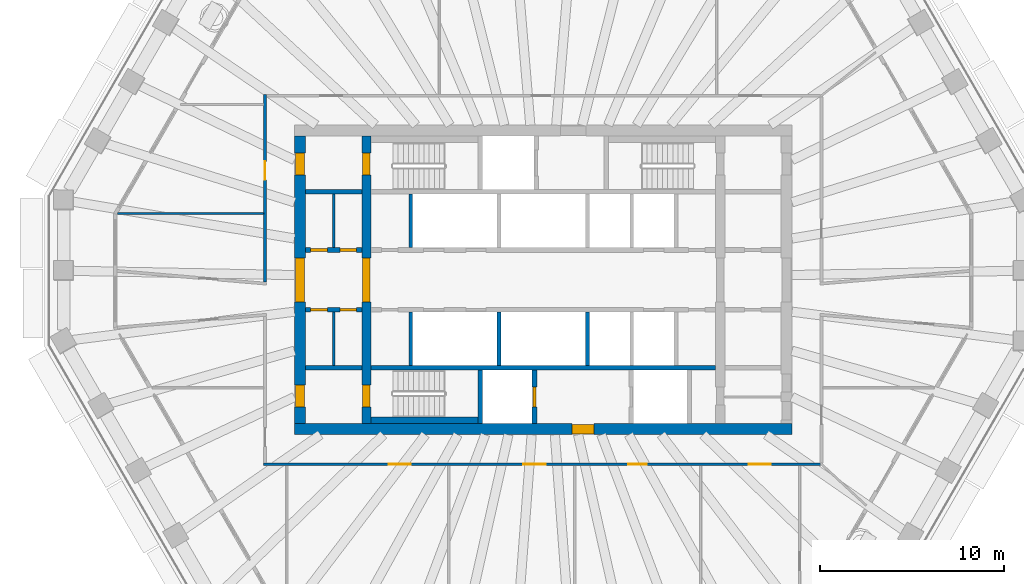
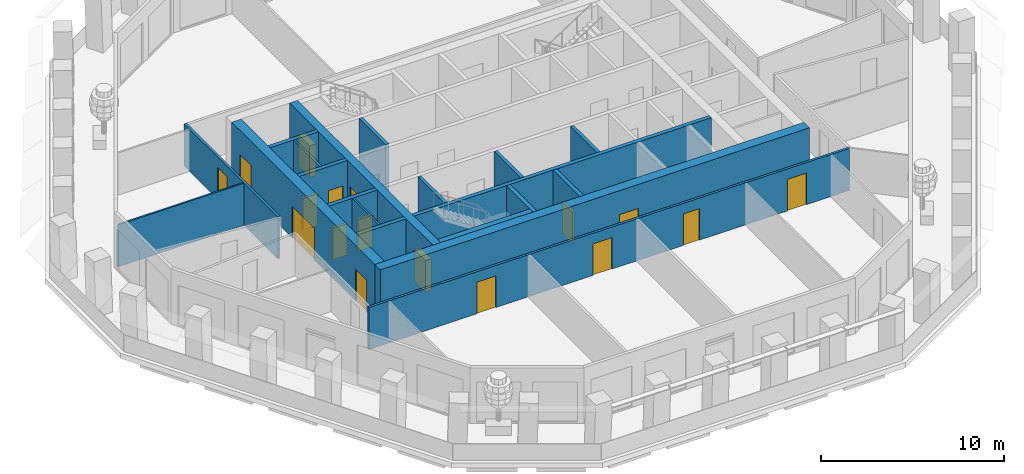
# One storey, part 4 of 12: 20 walls, 17 doors, 17 openings.
"""IFC4 building model written with IfcOpenShell, lengths in metres."""

import ifcopenshell
import ifcopenshell.guid

model = None  # the IFC model being written
_history = None  # IfcOwnerHistory: only IFC2X3 demands one
_inside = {}  # id of a spatial element -> (the spatial element, [elements in it])
_under = {}  # id of a project, library or spatial element -> (it, [spatial elements below it])
_declared = {}  # id of a project -> (the project, [libraries it declares])
_typed = {}  # id of a type object -> (the type object, [elements of that type])
_made_of = {}  # id of a material, layer set ... -> (it, [elements and type objects made of it])


def new_model(schema):
    """Start an empty IFC model of exactly this schema.

    Asked for "IFC4X3", IfcOpenShell would pick the latest addendum, in which some entities
    have other attributes; the version numbers below select the first issue.
    IFC2X3 requires an IfcOwnerHistory on every rooted entity: one is made here for all.
    """
    global model, _history
    if schema == "IFC4X3":
        model = ifcopenshell.file(schema_version=(4, 3, 0, 0))
    else:
        model = ifcopenshell.file(schema=schema)
    _inside.clear()
    _under.clear()
    _declared.clear()
    _typed.clear()
    _made_of.clear()
    _history = None
    if model.schema == "IFC2X3":
        org = make("IfcOrganization", Name="unknown")
        user = make(
            "IfcPersonAndOrganization",
            ThePerson=make("IfcPerson", FamilyName="unknown"),
            TheOrganization=org,
        )
        app = make(
            "IfcApplication",
            ApplicationDeveloper=org,
            Version="unknown",
            ApplicationFullName="unknown",
            ApplicationIdentifier="unknown",
        )
        _history = make(
            "IfcOwnerHistory",
            OwningUser=user,
            OwningApplication=app,
            ChangeAction="ADDED",
            CreationDate=0,
        )
    return model


def make(cls, **values):
    """One entity of the class cls with the attributes given. An attribute that is None is left unset."""
    return model.create_entity(
        cls, **{name: value for name, value in values.items() if value is not None}
    )


def rooted(cls, **values):
    """An entity with a GlobalId (a new one), such as an element, a storey or a relation."""
    return make(cls, GlobalId=ifcopenshell.guid.new(), OwnerHistory=_history, **values)


def si_unit(unit_type, name, prefix=None):
    """IfcSIUnit, for example si_unit("LENGTHUNIT", "METRE", prefix="MILLI")."""
    return make("IfcSIUnit", UnitType=unit_type, Prefix=prefix, Name=name)


def assignment(units):
    """IfcUnitAssignment: the units of a project."""
    return None if units is None else make("IfcUnitAssignment", Units=units)


def point(xyz):
    """IfcCartesianPoint."""
    return None if xyz is None else make("IfcCartesianPoint", Coordinates=xyz)


def direction(xyz):
    """IfcDirection."""
    return None if xyz is None else make("IfcDirection", DirectionRatios=xyz)


def frame(location, z_axis=None, x_axis=None):
    """IfcAxis2Placement3D, a coordinate frame: its origin and axes. An axis left out is left unset."""
    return make(
        "IfcAxis2Placement3D",
        Location=point(location),
        Axis=direction(z_axis),
        RefDirection=direction(x_axis),
    )


def frame_2d(location, x_axis=None):
    """IfcAxis2Placement2D, a coordinate frame in the plane: its origin and x axis."""
    return make(
        "IfcAxis2Placement2D", Location=point(location), RefDirection=direction(x_axis)
    )


def origin():
    """The frame at (0, 0, 0) with its axes left unset."""
    return frame((0.0, 0.0, 0.0))


def place(relative_to, where):
    """IfcLocalPlacement: puts the frame where relative to a parent placement (None: the world)."""
    return make(
        "IfcLocalPlacement", PlacementRelTo=relative_to, RelativePlacement=where
    )


def context(
    kind, dimensions, precision=None, world=None, true_north=None, identifier=None
):
    """IfcGeometricRepresentationContext, for example the 3D "Model" context."""
    return make(
        "IfcGeometricRepresentationContext",
        ContextIdentifier=identifier,
        ContextType=kind,
        CoordinateSpaceDimension=dimensions,
        Precision=precision,
        WorldCoordinateSystem=world,
        TrueNorth=true_north,
    )


def subcontext(parent, identifier, kind, view, scale=None):
    """IfcGeometricRepresentationSubContext, for example "Body" below "Model"."""
    return make(
        "IfcGeometricRepresentationSubContext",
        ContextIdentifier=identifier,
        ContextType=kind,
        ParentContext=parent,
        TargetScale=scale,
        TargetView=view,
    )


def project(units=None, contexts=None):
    """IfcProject with its units and contexts."""
    return rooted(
        "IfcProject",
        Name="project",
        RepresentationContexts=contexts,
        UnitsInContext=assignment(units),
    )


def spatial(cls, under=None, at=None, **own):
    """A site, building, storey or space (cls), placed at a placement, below another one or the project."""
    s = rooted(cls, ObjectPlacement=at, **own)
    if under is not None:
        _under.setdefault(under.id(), (under, []))[1].append(s)
    return s


def profile(cls, at=None, kind="AREA", **sizes):
    """A parametric profile (cls). Its sizes go by their IFC names, for example OverallWidth=200.0."""
    return make(cls, ProfileType=kind, Position=at, **sizes)


def rectangle(**sizes):
    """IfcRectangleProfileDef."""
    return profile("IfcRectangleProfileDef", **sizes)


def extrude(swept, where, along, depth):
    """IfcExtrudedAreaSolid: the profile swept, set in the frame where, extruded along a direction by depth."""
    return make(
        "IfcExtrudedAreaSolid",
        SweptArea=swept,
        Position=where,
        ExtrudedDirection=direction(along),
        Depth=depth,
    )


def shape(context_of_items, identifier, shape_type, items):
    """IfcShapeRepresentation: the items that make up one representation, for example the "Body"."""
    return make(
        "IfcShapeRepresentation",
        ContextOfItems=context_of_items,
        RepresentationIdentifier=identifier,
        RepresentationType=shape_type,
        Items=items,
    )


def material(Name=None, Category=None):
    """IfcMaterial."""
    return make("IfcMaterial", Name=Name, Category=Category)


def layer(
    of_material, thickness, ventilated=None, Name=None, Category=None, Priority=None
):
    """IfcMaterialLayer: one layer of a wall or slab, of a material (None: an air gap)."""
    return make(
        "IfcMaterialLayer",
        Material=of_material,
        LayerThickness=thickness,
        IsVentilated=ventilated,
        Name=Name,
        Category=Category,
        Priority=Priority,
    )


def layer_set(layers, Name=None):
    """IfcMaterialLayerSet."""
    return make("IfcMaterialLayerSet", MaterialLayers=layers, LayerSetName=Name)


def made_of(thing, what):
    """Note that an element or type object is made of a material, layer set ...; save() writes the relation."""
    if what is not None:
        _made_of.setdefault(what.id(), (what, []))[1].append(thing)
    return thing


def type_object(cls, material=None, **own):
    """A type object (cls), such as IfcWallType, which elements share."""
    return made_of(rooted(cls, **own), material)


def element(
    cls,
    number,
    at=None,
    inside=None,
    cuts=None,
    type_object=None,
    material=None,
    context=None,
    identifier="Body",
    shape_type=None,
    held_by="IfcProductDefinitionShape",
    body=None,
    shapes=None,
    **own,
):
    """One element of the class cls, such as IfcWall. Its Tag is "e" and its number.

    at: its placement. inside: the storey or other place that contains it. cuts: it is an
    opening in that element (IfcRelVoidsElement). A single representation is given by context,
    identifier, shape_type and body (its items); several are given by shapes. held_by: the class
    of the entity that holds the representations. save() writes the other relations.
    """
    e = rooted(cls, Tag="e%d" % number, ObjectPlacement=at, **own)
    if body is not None:
        shapes = [shape(context, identifier, shape_type, body)]
    if shapes is not None:
        e.Representation = make(held_by, Representations=shapes)
    if inside is not None:
        _inside.setdefault(inside.id(), (inside, []))[1].append(e)
    if cuts is not None:
        rooted(
            "IfcRelVoidsElement", RelatingBuildingElement=cuts, RelatedOpeningElement=e
        )
    if type_object is not None:
        _typed.setdefault(type_object.id(), (type_object, []))[1].append(e)
    return made_of(e, material)


def fill(opening, filler):
    """IfcRelFillsElement: the door or window that sits in an opening."""
    return rooted(
        "IfcRelFillsElement",
        RelatingOpeningElement=opening,
        RelatedBuildingElement=filler,
    )


def aggregate(whole, parts):
    """IfcRelAggregates: a whole, such as a stair, and the parts it consists of."""
    return rooted("IfcRelAggregates", RelatingObject=whole, RelatedObjects=parts)


def save(model, path):
    """Write the relations noted so far, then the file.

    IfcRelAggregates (storeys below a building ...), IfcRelContainedInSpatialStructure (elements
    in a storey), IfcRelDefinesByType, IfcRelAssociatesMaterial and IfcRelDeclares: one each for
    every whole, place, type object, material and project.
    """
    for whole, parts in _under.values():
        aggregate(whole, parts)
    for where, things in _inside.values():
        rooted(
            "IfcRelContainedInSpatialStructure",
            RelatedElements=things,
            RelatingStructure=where,
        )
    for kind, things in _typed.values():
        rooted("IfcRelDefinesByType", RelatedObjects=things, RelatingType=kind)
    for what, things in _made_of.values():
        rooted("IfcRelAssociatesMaterial", RelatedObjects=things, RelatingMaterial=what)
    for by, libraries in _declared.values():
        rooted("IfcRelDeclares", RelatingContext=by, RelatedDefinitions=libraries)
    model.write(path)


model = new_model("IFC4")

# Units and contexts
model_context = context("Model", 3, precision=1e-05, world=origin(), true_north=direction((0.0, 1.0)))
body_context = subcontext(model_context, "Body", "Model", "MODEL_VIEW")
ifc_project = project(units=[si_unit("LENGTHUNIT", "METRE"), si_unit("AREAUNIT", "SQUARE_METRE"), si_unit("VOLUMEUNIT", "CUBIC_METRE"), si_unit("PLANEANGLEUNIT", "RADIAN"), si_unit("MASSUNIT", "GRAM", prefix="KILO")], contexts=[model_context])

# Site, building, storey
site_placement = place(None, origin())
site = spatial("IfcSite", under=ifc_project, at=site_placement, CompositionType="ELEMENT")
building_placement = place(site_placement, origin())
building = spatial("IfcBuilding", under=site, at=building_placement, Name="Frailejon Research Tower", CompositionType="ELEMENT")
storey_placement = place(building_placement, frame((0.0, 0.0, 227.39990234375)))
storey = spatial("IfcBuildingStorey", under=building, at=storey_placement, Name="L49", CompositionType="ELEMENT", Elevation=227.39990234375)

# Walls
ifc_material_1 = material(Name="Plasterboard on steel studs", Category="steel")
ifc_layer_1 = layer(ifc_material_1, 0.125)
ifc_layer_set_1 = layer_set([ifc_layer_1], Name="Core partition 125")
wall_type_1 = type_object("IfcWallType", Name="Core partition 125", PredefinedType="PARTITIONING", material=ifc_layer_set_1)
for number, where, z_axis, x_axis, name in (
    (1, (-11.375, 1.75, 0.0), (0.0, 0.0, 1.0), (0.0, 1.0, 0.0), "Core partition"),
    (2, (-11.375, -4.64990234375, 0.0), (0.0, 0.0, 1.0), (0.0, 1.0, 0.0), "Core partition"),
):
    element("IfcWall", number, at=place(storey_placement, frame(where, z_axis=z_axis, x_axis=x_axis)), inside=storey, type_object=wall_type_1, Name=name, PredefinedType="PARTITIONING", context=body_context, shape_type="SweptSolid", body=[
        extrude(rectangle(XDim=2.89990234375, YDim=0.125, at=frame_2d((1.449951171875, 0.0))), origin(), (0.0, 0.0, 1.0), 3.7001953125),
    ])

# Wall, openings, doors
ifc_material_2 = material(Name="Concrete C60/75", Category="concrete")
ifc_layer_2 = layer(ifc_material_2, 0.5)
ifc_layer_set_2 = layer_set([ifc_layer_2], Name="Core shear wall 500 C60/75")
wall_type_2 = type_object("IfcWallType", Name="Core shear wall 500 C60/75", PredefinedType="SHEAR", material=ifc_layer_set_2)
wall_1_placement = place(storey_placement, frame((-9.60009765625, -7.800048828125, 0.0), z_axis=(0.0, 0.0, 1.0), x_axis=(0.0, 1.0, 0.0)))
wall_1 = element("IfcWall", 3, at=wall_1_placement, inside=storey, type_object=wall_type_2, Name="Core shear wall", PredefinedType="SHEAR", context=body_context, shape_type="SweptSolid", body=[
    extrude(rectangle(XDim=15.60009765625, YDim=0.5, at=frame_2d((7.800048828125, 0.0))), origin(), (0.0, 0.0, 1.0), 3.7001953125),
])
opening_1_placement = place(wall_1_placement, frame((6.60009765625, 0.0, 0.0)))
opening_1 = element("IfcOpeningElement", 4, at=opening_1_placement, cuts=wall_1, Name="Opening D2", PredefinedType="OPENING", context=body_context, shape_type="SweptSolid", body=[
    extrude(rectangle(XDim=2.39990234375, YDim=2.10009765625, at=frame_2d((1.199951171875, 1.050048828125))), frame((0.0, 0.260009765625, 0.0), z_axis=(0.0, -1.0, 0.0), x_axis=(1.0, 0.0, 0.0)), (0.0, 0.0, 1.0), 0.52001953125),
])
opening_2_placement = place(wall_1_placement, frame((13.5, 0.0, 0.0)))
opening_2 = element("IfcOpeningElement", 5, at=opening_2_placement, cuts=wall_1, Name="Opening D1", PredefinedType="OPENING", context=body_context, shape_type="SweptSolid", body=[
    extrude(rectangle(XDim=1.199951171875, YDim=2.10009765625, at=frame_2d((0.60009765625, 1.050048828125))), frame((0.0, 0.260009765625, 0.0), z_axis=(0.0, -1.0, 0.0), x_axis=(1.0, 0.0, 0.0)), (0.0, 0.0, 1.0), 0.52001953125),
])
opening_3_placement = place(wall_1_placement, frame((0.89990234375, 0.0, 0.0)))
opening_3 = element("IfcOpeningElement", 6, at=opening_3_placement, cuts=wall_1, Name="Opening D1", PredefinedType="OPENING", context=body_context, shape_type="SweptSolid", body=[
    extrude(rectangle(XDim=1.199951171875, YDim=2.10009765625, at=frame_2d((0.60009765625, 1.050048828125))), frame((0.0, 0.260009765625, 0.0), z_axis=(0.0, -1.0, 0.0), x_axis=(1.0, 0.0, 0.0)), (0.0, 0.0, 1.0), 0.52001953125),
])
ifc_material_3 = material(Name="Steel", Category="steel")
door_type_1 = type_object("IfcDoorType", Name="Lobby double door", OperationType="DOUBLE_DOOR_SINGLE_SWING", PredefinedType="DOOR", material=ifc_material_3)
door_1_placement = place(opening_1_placement, origin())
door_1 = element("IfcDoor", 7, at=door_1_placement, inside=storey, type_object=door_type_1, Name="Lobby door", OperationType="DOUBLE_DOOR_SINGLE_SWING", OverallHeight=2.10009765625, OverallWidth=2.39990234375, PredefinedType="DOOR", context=body_context, shape_type="SweptSolid", body=[
    extrude(rectangle(XDim=2.39990234375, YDim=2.10009765625, at=frame_2d((1.199951171875, 1.050048828125))), frame((0.0, 0.199951171875, 0.0), z_axis=(0.0, -1.0, 0.0), x_axis=(1.0, 0.0, 0.0)), (0.0, 0.0, 1.0), 0.39990234375),
])
fill(opening_1, door_1)
ifc_material_4 = material(Name="Steel", Category="steel")
door_type_2 = type_object("IfcDoorType", Name="Stair door", OperationType="SINGLE_SWING_LEFT", PredefinedType="DOOR", material=ifc_material_4)
door_2_placement = place(opening_2_placement, origin())
door_2 = element("IfcDoor", 8, at=door_2_placement, inside=storey, type_object=door_type_2, Name="Stair door ST1", OperationType="SINGLE_SWING_LEFT", OverallHeight=2.10009765625, OverallWidth=1.199951171875, PredefinedType="DOOR", context=body_context, shape_type="SweptSolid", body=[
    extrude(rectangle(XDim=1.199951171875, YDim=2.10009765625, at=frame_2d((0.60009765625, 1.050048828125))), frame((0.0, 0.199951171875, 0.0), z_axis=(0.0, -1.0, 0.0), x_axis=(1.0, 0.0, 0.0)), (0.0, 0.0, 1.0), 0.39990234375),
])
fill(opening_2, door_2)
door_3_placement = place(opening_3_placement, origin())
door_3 = element("IfcDoor", 9, at=door_3_placement, inside=storey, type_object=door_type_2, Name="Stair door ST2", OperationType="SINGLE_SWING_LEFT", OverallHeight=2.10009765625, OverallWidth=1.199951171875, PredefinedType="DOOR", context=body_context, shape_type="SweptSolid", body=[
    extrude(rectangle(XDim=1.199951171875, YDim=2.10009765625, at=frame_2d((0.60009765625, 1.050048828125))), frame((0.0, 0.199951171875, 0.0), z_axis=(0.0, -1.0, 0.0), x_axis=(1.0, 0.0, 0.0)), (0.0, 0.0, 1.0), 0.39990234375),
])
fill(opening_3, door_3)

# Wall, opening, door
ifc_material_5 = material(Name="Concrete C60/75", Category="concrete")
ifc_layer_3 = layer(ifc_material_5, 0.60009765625)
ifc_layer_set_3 = layer_set([ifc_layer_3], Name="Core shear wall 600 C60/75")
wall_type_3 = type_object("IfcWallType", Name="Core shear wall 600 C60/75", PredefinedType="SHEAR", material=ifc_layer_set_3)
wall_2_placement = place(storey_placement, frame((-13.5, -8.10009765625, 0.0), z_axis=(0.0, 0.0, 1.0), x_axis=(1.0, 0.0, 0.0)))
wall_2 = element("IfcWall", 10, at=wall_2_placement, inside=storey, type_object=wall_type_3, Name="Core shear wall", PredefinedType="SHEAR", context=body_context, shape_type="SweptSolid", body=[
    extrude(rectangle(XDim=27.0, YDim=0.60009765625, at=frame_2d((13.5, 0.0))), origin(), (0.0, 0.0, 1.0), 3.7001953125),
])
opening_4_placement = place(wall_2_placement, frame((15.050048828125, 0.0, 0.0)))
opening_4 = element("IfcOpeningElement", 11, at=opening_4_placement, cuts=wall_2, Name="Opening D3", PredefinedType="OPENING", context=body_context, shape_type="SweptSolid", body=[
    extrude(rectangle(XDim=1.199951171875, YDim=2.10009765625, at=frame_2d((0.60009765625, 1.050048828125))), frame((0.0, 0.31005859375, 0.0), z_axis=(0.0, -1.0, 0.0), x_axis=(1.0, 0.0, 0.0)), (0.0, 0.0, 1.0), 0.6201171875),
])
ifc_material_6 = material(Name="Steel", Category="steel")
door_type_3 = type_object("IfcDoorType", Name="Firefighting lobby door", OperationType="SINGLE_SWING_LEFT", PredefinedType="DOOR", material=ifc_material_6)
door_4_placement = place(opening_4_placement, origin())
door_4 = element("IfcDoor", 12, at=door_4_placement, inside=storey, type_object=door_type_3, Name="Firefighting lobby door", OperationType="SINGLE_SWING_LEFT", OverallHeight=2.10009765625, OverallWidth=1.199951171875, PredefinedType="DOOR", context=body_context, shape_type="SweptSolid", body=[
    extrude(rectangle(XDim=1.199951171875, YDim=2.10009765625, at=frame_2d((0.60009765625, 1.050048828125))), frame((0.0, 0.25, 0.0), z_axis=(0.0, -1.0, 0.0), x_axis=(1.0, 0.0, 0.0)), (0.0, 0.0, 1.0), 0.5),
])
fill(opening_4, door_4)

# Wall, openings, doors
wall_3_placement = place(storey_placement, frame((-13.199951171875, -7.800048828125, 0.0), z_axis=(0.0, 0.0, 1.0), x_axis=(0.0, 1.0, 0.0)))
wall_3 = element("IfcWall", 13, at=wall_3_placement, inside=storey, type_object=wall_type_3, Name="Core shear wall", PredefinedType="SHEAR", context=body_context, shape_type="SweptSolid", body=[
    extrude(rectangle(XDim=15.60009765625, YDim=0.60009765625, at=frame_2d((7.800048828125, 0.0))), origin(), (0.0, 0.0, 1.0), 3.7001953125),
])
opening_5_placement = place(wall_3_placement, frame((6.60009765625, 0.0, 0.0)))
opening_5 = element("IfcOpeningElement", 14, at=opening_5_placement, cuts=wall_3, Name="Opening D2", PredefinedType="OPENING", context=body_context, shape_type="SweptSolid", body=[
    extrude(rectangle(XDim=2.39990234375, YDim=2.10009765625, at=frame_2d((1.199951171875, 1.050048828125))), frame((0.0, 0.31005859375, 0.0), z_axis=(0.0, -1.0, 0.0), x_axis=(1.0, 0.0, 0.0)), (0.0, 0.0, 1.0), 0.6201171875),
])
opening_6_placement = place(wall_3_placement, frame((13.5, 0.0, 0.0)))
opening_6 = element("IfcOpeningElement", 15, at=opening_6_placement, cuts=wall_3, Name="Opening D7", PredefinedType="OPENING", context=body_context, shape_type="SweptSolid", body=[
    extrude(rectangle(XDim=1.199951171875, YDim=2.10009765625, at=frame_2d((0.60009765625, 1.050048828125))), frame((0.0, 0.31005859375, 0.0), z_axis=(0.0, -1.0, 0.0), x_axis=(1.0, 0.0, 0.0)), (0.0, 0.0, 1.0), 0.6201171875),
])
opening_7_placement = place(wall_3_placement, frame((0.89990234375, 0.0, 0.0)))
opening_7 = element("IfcOpeningElement", 16, at=opening_7_placement, cuts=wall_3, Name="Opening D7", PredefinedType="OPENING", context=body_context, shape_type="SweptSolid", body=[
    extrude(rectangle(XDim=1.199951171875, YDim=2.10009765625, at=frame_2d((0.60009765625, 1.050048828125))), frame((0.0, 0.31005859375, 0.0), z_axis=(0.0, -1.0, 0.0), x_axis=(1.0, 0.0, 0.0)), (0.0, 0.0, 1.0), 0.6201171875),
])
door_5_placement = place(opening_5_placement, origin())
door_5 = element("IfcDoor", 17, at=door_5_placement, inside=storey, type_object=door_type_1, Name="Lobby door", OperationType="DOUBLE_DOOR_SINGLE_SWING", OverallHeight=2.10009765625, OverallWidth=2.39990234375, PredefinedType="DOOR", context=body_context, shape_type="SweptSolid", body=[
    extrude(rectangle(XDim=2.39990234375, YDim=2.10009765625, at=frame_2d((1.199951171875, 1.050048828125))), frame((0.0, 0.25, 0.0), z_axis=(0.0, -1.0, 0.0), x_axis=(1.0, 0.0, 0.0)), (0.0, 0.0, 1.0), 0.5),
])
fill(opening_5, door_5)
ifc_material_7 = material(Name="Steel", Category="steel")
door_type_4 = type_object("IfcDoorType", Name="Stair exit door", OperationType="SINGLE_SWING_LEFT", PredefinedType="DOOR", material=ifc_material_7)
door_6_placement = place(opening_6_placement, origin())
door_6 = element("IfcDoor", 18, at=door_6_placement, inside=storey, type_object=door_type_4, Name="Stair exit door ST1", OperationType="SINGLE_SWING_RIGHT", OverallHeight=2.10009765625, OverallWidth=1.199951171875, PredefinedType="DOOR", context=body_context, shape_type="SweptSolid", body=[
    extrude(rectangle(XDim=1.199951171875, YDim=2.10009765625, at=frame_2d((0.60009765625, 1.050048828125))), frame((0.0, 0.25, 0.0), z_axis=(0.0, -1.0, 0.0), x_axis=(1.0, 0.0, 0.0)), (0.0, 0.0, 1.0), 0.5),
])
fill(opening_6, door_6)
door_7_placement = place(opening_7_placement, origin())
door_7 = element("IfcDoor", 19, at=door_7_placement, inside=storey, type_object=door_type_4, Name="Stair exit door ST2", OperationType="SINGLE_SWING_RIGHT", OverallHeight=2.10009765625, OverallWidth=1.199951171875, PredefinedType="DOOR", context=body_context, shape_type="SweptSolid", body=[
    extrude(rectangle(XDim=1.199951171875, YDim=2.10009765625, at=frame_2d((0.60009765625, 1.050048828125))), frame((0.0, 0.25, 0.0), z_axis=(0.0, -1.0, 0.0), x_axis=(1.0, 0.0, 0.0)), (0.0, 0.0, 1.0), 0.5),
])
fill(opening_7, door_7)

# Wall, opening, door
ifc_material_8 = material(Name="Gypsum board and masonry partition", Category="masonry")
ifc_layer_4 = layer(ifc_material_8, 0.14990234375)
ifc_layer_set_4 = layer_set([ifc_layer_4], Name="Corridor wall EI 60, gypsum on steel studs 150")
wall_type_4 = type_object("IfcWallType", Name="Corridor wall EI 60, gypsum on steel studs 150", PredefinedType="PARTITIONING", material=ifc_layer_set_4)
wall_4_placement = place(storey_placement, frame((-15.10009765625, -0.123779296875, 0.0), z_axis=(0.0, 0.0, 1.0), x_axis=(0.0, 1.0, 0.0)))
wall_4 = element("IfcWall", 20, at=wall_4_placement, inside=storey, type_object=wall_type_4, Name="T:IW:L49:005", PredefinedType="PARTITIONING", context=body_context, shape_type="SweptSolid", body=[
    extrude(rectangle(XDim=10.19873046875, YDim=0.14990234375, at=frame_2d((5.099365234375, 0.0))), origin(), (0.0, 0.0, 1.0), 2.800048828125),
])
opening_8_placement = place(wall_4_placement, frame((5.5556640625, 0.0, 0.0)))
opening_8 = element("IfcOpeningElement", 21, at=opening_8_placement, cuts=wall_4, Name="Opening D1995", PredefinedType="OPENING", context=body_context, shape_type="SweptSolid", body=[
    extrude(rectangle(XDim=1.0, YDim=2.10009765625, at=frame_2d((0.5, 1.050048828125))), frame((0.0, 0.0849609375, 0.0), z_axis=(0.0, -1.0, 0.0), x_axis=(1.0, 0.0, 0.0)), (0.0, 0.0, 1.0), 0.169921875),
])
ifc_material_9 = material(Name="Timber door leaf", Category="wood")
door_type_5 = type_object("IfcDoorType", Name="Door single leaf, timber, steel frame 1000", OperationType="NOTDEFINED", PredefinedType="DOOR", material=ifc_material_9)
door_8_placement = place(opening_8_placement, origin())
door_8 = element("IfcDoor", 22, at=door_8_placement, inside=storey, type_object=door_type_5, Name="D1995", OperationType="SINGLE_SWING_RIGHT", OverallHeight=2.10009765625, OverallWidth=1.0, PredefinedType="DOOR", context=body_context, shape_type="SweptSolid", body=[
    extrude(rectangle(XDim=1.0, YDim=2.10009765625, at=frame_2d((0.5, 1.050048828125))), frame((0.0, 0.02490234375, 0.0), z_axis=(0.0, -1.0, 0.0), x_axis=(1.0, 0.0, 0.0)), (0.0, 0.0, 1.0), 0.050048828125),
])
fill(opening_8, door_8)

# Wall, openings, doors
wall_5_placement = place(storey_placement, frame((-15.175048828125, -10.0, 0.0), z_axis=(0.0, 0.0, 1.0), x_axis=(1.0, 0.0, 0.0)))
wall_5 = element("IfcWall", 23, at=wall_5_placement, inside=storey, type_object=wall_type_4, Name="T:IW:L49:006", PredefinedType="PARTITIONING", context=body_context, shape_type="SweptSolid", body=[
    extrude(rectangle(XDim=30.22509765625, YDim=0.14990234375, at=frame_2d((15.112548828125, 0.0))), origin(), (0.0, 0.0, 1.0), 2.800048828125),
])
opening_9_placement = place(wall_5_placement, frame((6.77880859375, 0.0, 0.0)))
opening_9 = element("IfcOpeningElement", 24, at=opening_9_placement, cuts=wall_5, Name="Opening D1999", PredefinedType="OPENING", context=body_context, shape_type="SweptSolid", body=[
    extrude(rectangle(XDim=1.199951171875, YDim=2.10009765625, at=frame_2d((0.60009765625, 1.050048828125))), frame((0.0, 0.0849609375, 0.0), z_axis=(0.0, -1.0, 0.0), x_axis=(1.0, 0.0, 0.0)), (0.0, 0.0, 1.0), 0.169921875),
])
opening_10_placement = place(wall_5_placement, frame((14.10009765625, 0.0, 0.0)))
opening_10 = element("IfcOpeningElement", 25, at=opening_10_placement, cuts=wall_5, Name="Opening D2000", PredefinedType="OPENING", context=body_context, shape_type="SweptSolid", body=[
    extrude(rectangle(XDim=1.199951171875, YDim=2.10009765625, at=frame_2d((0.60009765625, 1.050048828125))), frame((0.0, 0.0849609375, 0.0), z_axis=(0.0, -1.0, 0.0), x_axis=(1.0, 0.0, 0.0)), (0.0, 0.0, 1.0), 0.169921875),
])
opening_11_placement = place(wall_5_placement, frame((19.798583984375, 0.0, 0.0)))
opening_11 = element("IfcOpeningElement", 26, at=opening_11_placement, cuts=wall_5, Name="Opening D2001", PredefinedType="OPENING", context=body_context, shape_type="SweptSolid", body=[
    extrude(rectangle(XDim=1.0, YDim=2.10009765625, at=frame_2d((0.5, 1.050048828125))), frame((0.0, 0.0849609375, 0.0), z_axis=(0.0, -1.0, 0.0), x_axis=(1.0, 0.0, 0.0)), (0.0, 0.0, 1.0), 0.169921875),
])
opening_12_placement = place(wall_5_placement, frame((26.322998046875, 0.0, 0.0)))
opening_12 = element("IfcOpeningElement", 27, at=opening_12_placement, cuts=wall_5, Name="Opening D2002", PredefinedType="OPENING", context=body_context, shape_type="SweptSolid", body=[
    extrude(rectangle(XDim=1.199951171875, YDim=2.10009765625, at=frame_2d((0.60009765625, 1.050048828125))), frame((0.0, 0.0849609375, 0.0), z_axis=(0.0, -1.0, 0.0), x_axis=(1.0, 0.0, 0.0)), (0.0, 0.0, 1.0), 0.169921875),
])
ifc_material_10 = material(Name="Timber door leaf", Category="wood")
door_type_6 = type_object("IfcDoorType", Name="Door laboratory, timber, vision panel 1200", OperationType="NOTDEFINED", PredefinedType="DOOR", material=ifc_material_10)
door_9_placement = place(opening_10_placement, origin())
door_9 = element("IfcDoor", 28, at=door_9_placement, inside=storey, type_object=door_type_6, Name="D2000", OperationType="DOUBLE_DOOR_SINGLE_SWING", OverallHeight=2.10009765625, OverallWidth=1.199951171875, PredefinedType="DOOR", context=body_context, shape_type="SweptSolid", body=[
    extrude(rectangle(XDim=1.199951171875, YDim=2.10009765625, at=frame_2d((0.60009765625, 1.050048828125))), frame((0.0, 0.02490234375, 0.0), z_axis=(0.0, -1.0, 0.0), x_axis=(1.0, 0.0, 0.0)), (0.0, 0.0, 1.0), 0.050048828125),
])
fill(opening_10, door_9)
door_10_placement = place(opening_11_placement, origin())
door_10 = element("IfcDoor", 29, at=door_10_placement, inside=storey, type_object=door_type_5, Name="D2001", OperationType="SINGLE_SWING_LEFT", OverallHeight=2.10009765625, OverallWidth=1.0, PredefinedType="DOOR", context=body_context, shape_type="SweptSolid", body=[
    extrude(rectangle(XDim=1.0, YDim=2.10009765625, at=frame_2d((0.5, 1.050048828125))), frame((0.0, 0.02490234375, 0.0), z_axis=(0.0, -1.0, 0.0), x_axis=(1.0, 0.0, 0.0)), (0.0, 0.0, 1.0), 0.050048828125),
])
fill(opening_11, door_10)
ifc_material_11 = material(Name="Timber door leaf", Category="wood")
door_type_7 = type_object("IfcDoorType", Name="Door single leaf, timber, steel frame 1200", OperationType="NOTDEFINED", PredefinedType="DOOR", material=ifc_material_11)
door_11_placement = place(opening_9_placement, origin())
door_11 = element("IfcDoor", 30, at=door_11_placement, inside=storey, type_object=door_type_7, Name="D1999", OperationType="DOUBLE_DOOR_SINGLE_SWING", OverallHeight=2.10009765625, OverallWidth=1.199951171875, PredefinedType="DOOR", context=body_context, shape_type="SweptSolid", body=[
    extrude(rectangle(XDim=1.199951171875, YDim=2.10009765625, at=frame_2d((0.60009765625, 1.050048828125))), frame((0.0, 0.02490234375, 0.0), z_axis=(0.0, -1.0, 0.0), x_axis=(1.0, 0.0, 0.0)), (0.0, 0.0, 1.0), 0.050048828125),
])
fill(opening_9, door_11)
door_12_placement = place(opening_12_placement, origin())
door_12 = element("IfcDoor", 31, at=door_12_placement, inside=storey, type_object=door_type_7, Name="D2002", OperationType="DOUBLE_DOOR_SINGLE_SWING", OverallHeight=2.10009765625, OverallWidth=1.199951171875, PredefinedType="DOOR", context=body_context, shape_type="SweptSolid", body=[
    extrude(rectangle(XDim=1.199951171875, YDim=2.10009765625, at=frame_2d((0.60009765625, 1.050048828125))), frame((0.0, 0.02490234375, 0.0), z_axis=(0.0, -1.0, 0.0), x_axis=(1.0, 0.0, 0.0)), (0.0, 0.0, 1.0), 0.050048828125),
])
fill(opening_12, door_12)

# Walls
ifc_material_12 = material(Name="Gypsum board and masonry partition", Category="masonry")
ifc_layer_5 = layer(ifc_material_12, 0.10009765625)
ifc_layer_set_5 = layer_set([ifc_layer_5], Name="Partition, gypsum on steel studs 100")
wall_type_5 = type_object("IfcWallType", Name="Partition, gypsum on steel studs 100", PredefinedType="PARTITIONING", material=ifc_layer_set_5)
wall_6_placement = place(storey_placement, frame((-23.09375, 3.606201171875, 0.0), z_axis=(0.0, 0.0, 1.0), x_axis=(1.0, 0.0, 0.0)))
element("IfcWall", 32, at=wall_6_placement, inside=storey, type_object=wall_type_5, Name="T:IW:L49:017", PredefinedType="PARTITIONING", context=body_context, shape_type="SweptSolid", body=[
    extrude(rectangle(XDim=7.918701171875, YDim=0.10009765625, at=frame_2d((3.95947265625, 0.0))), origin(), (0.0, 0.0, 1.0), 2.800048828125),
])
ifc_material_13 = material(Name="Concrete C60/75", Category="concrete")
ifc_layer_6 = layer(ifc_material_13, 0.199951171875)
ifc_layer_set_6 = layer_set([ifc_layer_6], Name="Shaft wall 200 C60/75")
wall_type_6 = type_object("IfcWallType", Name="Shaft wall 200 C60/75", PredefinedType="SOLIDWALL", material=ifc_layer_set_6)
for number, where, z_axis, x_axis, name in (
    (33, (-7.199951171875, 1.75, 0.0), (0.0, 0.0, 1.0), (0.0, 1.0, 0.0), "Shaft wall"),
    (34, (-7.199951171875, -4.64990234375, 0.0), (0.0, 0.0, 1.0), (0.0, 1.0, 0.0), "Shaft wall"),
    (35, (-2.39990234375, -4.64990234375, 0.0), (0.0, 0.0, 1.0), (0.0, 1.0, 0.0), "Shaft wall"),
    (36, (2.39990234375, -4.64990234375, 0.0), (0.0, 0.0, 1.0), (0.0, 1.0, 0.0), "Shaft wall"),
):
    element("IfcWall", number, at=place(storey_placement, frame(where, z_axis=z_axis, x_axis=x_axis)), inside=storey, type_object=wall_type_6, Name=name, PredefinedType="SOLIDWALL", context=body_context, shape_type="SweptSolid", body=[
        extrude(rectangle(XDim=2.89990234375, YDim=0.199951171875, at=frame_2d((1.449951171875, 0.0))), origin(), (0.0, 0.0, 1.0), 3.7001953125),
    ])

# Wall, openings, doors
ifc_material_14 = material(Name="Concrete C60/75", Category="concrete")
ifc_layer_7 = layer(ifc_material_14, 0.25)
ifc_layer_set_7 = layer_set([ifc_layer_7], Name="Shaft wall 250 C60/75")
wall_type_7 = type_object("IfcWallType", Name="Shaft wall 250 C60/75", PredefinedType="SOLIDWALL", material=ifc_layer_set_7)
wall_7_placement = place(storey_placement, frame((-12.89990234375, 1.625, 0.0), z_axis=(0.0, 0.0, 1.0), x_axis=(1.0, 0.0, 0.0)))
wall_7 = element("IfcWall", 37, at=wall_7_placement, inside=storey, type_object=wall_type_7, Name="Shaft wall", PredefinedType="SOLIDWALL", context=body_context, shape_type="SweptSolid", body=[
    extrude(rectangle(XDim=3.0498046875, YDim=0.25, at=frame_2d((1.52490234375, 0.0))), origin(), (0.0, 0.0, 1.0), 3.7001953125),
])
opening_13_placement = place(wall_7_placement, frame((0.28125, 0.0, 0.0)))
opening_13 = element("IfcOpeningElement", 38, at=opening_13_placement, cuts=wall_7, Name="Opening D8", PredefinedType="OPENING", context=body_context, shape_type="SweptSolid", body=[
    extrude(rectangle(XDim=0.89990234375, YDim=2.10009765625, at=frame_2d((0.449951171875, 1.050048828125))), frame((0.0, 0.135009765625, 0.0), z_axis=(0.0, -1.0, 0.0), x_axis=(1.0, 0.0, 0.0)), (0.0, 0.0, 1.0), 0.27001953125),
])
opening_14_placement = place(wall_7_placement, frame((1.86865234375, 0.0, 0.0)))
opening_14 = element("IfcOpeningElement", 39, at=opening_14_placement, cuts=wall_7, Name="Opening D8", PredefinedType="OPENING", context=body_context, shape_type="SweptSolid", body=[
    extrude(rectangle(XDim=0.89990234375, YDim=2.10009765625, at=frame_2d((0.449951171875, 1.050048828125))), frame((0.0, 0.135009765625, 0.0), z_axis=(0.0, -1.0, 0.0), x_axis=(1.0, 0.0, 0.0)), (0.0, 0.0, 1.0), 0.27001953125),
])
ifc_material_15 = material(Name="Steel", Category="steel")
door_type_8 = type_object("IfcDoorType", Name="Core room door", OperationType="SINGLE_SWING_LEFT", PredefinedType="DOOR", material=ifc_material_15)
door_13_placement = place(opening_13_placement, origin())
door_13 = element("IfcDoor", 40, at=door_13_placement, inside=storey, type_object=door_type_8, Name="Room door", OperationType="SINGLE_SWING_RIGHT", OverallHeight=2.10009765625, OverallWidth=0.89990234375, PredefinedType="DOOR", context=body_context, shape_type="SweptSolid", body=[
    extrude(rectangle(XDim=0.89990234375, YDim=2.10009765625, at=frame_2d((0.449951171875, 1.050048828125))), frame((0.0, 0.074951171875, 0.0), z_axis=(0.0, -1.0, 0.0), x_axis=(1.0, 0.0, 0.0)), (0.0, 0.0, 1.0), 0.14990234375),
])
fill(opening_13, door_13)
door_14_placement = place(opening_14_placement, origin())
door_14 = element("IfcDoor", 41, at=door_14_placement, inside=storey, type_object=door_type_8, Name="Room door", OperationType="SINGLE_SWING_LEFT", OverallHeight=2.10009765625, OverallWidth=0.89990234375, PredefinedType="DOOR", context=body_context, shape_type="SweptSolid", body=[
    extrude(rectangle(XDim=0.89990234375, YDim=2.10009765625, at=frame_2d((0.449951171875, 1.050048828125))), frame((0.0, 0.074951171875, 0.0), z_axis=(0.0, -1.0, 0.0), x_axis=(1.0, 0.0, 0.0)), (0.0, 0.0, 1.0), 0.14990234375),
])
fill(opening_14, door_14)

# Wall
wall_8_placement = place(storey_placement, frame((-12.89990234375, 4.77490234375, 0.0), z_axis=(0.0, 0.0, 1.0), x_axis=(1.0, 0.0, 0.0)))
element("IfcWall", 42, at=wall_8_placement, inside=storey, type_object=wall_type_7, Name="Shaft wall", PredefinedType="SOLIDWALL", context=body_context, shape_type="SweptSolid", body=[
    extrude(rectangle(XDim=3.0498046875, YDim=0.25, at=frame_2d((1.52490234375, 0.0))), origin(), (0.0, 0.0, 1.0), 3.7001953125),
])

# Wall, openings, doors
wall_9_placement = place(storey_placement, frame((-12.89990234375, -1.625, 0.0), z_axis=(0.0, 0.0, 1.0), x_axis=(1.0, 0.0, 0.0)))
wall_9 = element("IfcWall", 43, at=wall_9_placement, inside=storey, type_object=wall_type_7, Name="Shaft wall", PredefinedType="SOLIDWALL", context=body_context, shape_type="SweptSolid", body=[
    extrude(rectangle(XDim=3.0498046875, YDim=0.25, at=frame_2d((1.52490234375, 0.0))), origin(), (0.0, 0.0, 1.0), 3.7001953125),
])
opening_15_placement = place(wall_9_placement, frame((0.28125, 0.0, 0.0)))
opening_15 = element("IfcOpeningElement", 44, at=opening_15_placement, cuts=wall_9, Name="Opening D8", PredefinedType="OPENING", context=body_context, shape_type="SweptSolid", body=[
    extrude(rectangle(XDim=0.89990234375, YDim=2.10009765625, at=frame_2d((0.449951171875, 1.050048828125))), frame((0.0, 0.135009765625, 0.0), z_axis=(0.0, -1.0, 0.0), x_axis=(1.0, 0.0, 0.0)), (0.0, 0.0, 1.0), 0.27001953125),
])
opening_16_placement = place(wall_9_placement, frame((1.86865234375, 0.0, 0.0)))
opening_16 = element("IfcOpeningElement", 45, at=opening_16_placement, cuts=wall_9, Name="Opening D8", PredefinedType="OPENING", context=body_context, shape_type="SweptSolid", body=[
    extrude(rectangle(XDim=0.89990234375, YDim=2.10009765625, at=frame_2d((0.449951171875, 1.050048828125))), frame((0.0, 0.135009765625, 0.0), z_axis=(0.0, -1.0, 0.0), x_axis=(1.0, 0.0, 0.0)), (0.0, 0.0, 1.0), 0.27001953125),
])
door_15_placement = place(opening_15_placement, origin())
door_15 = element("IfcDoor", 46, at=door_15_placement, inside=storey, type_object=door_type_8, Name="Room door", OperationType="SINGLE_SWING_LEFT", OverallHeight=2.10009765625, OverallWidth=0.89990234375, PredefinedType="DOOR", context=body_context, shape_type="SweptSolid", body=[
    extrude(rectangle(XDim=0.89990234375, YDim=2.10009765625, at=frame_2d((0.449951171875, 1.050048828125))), frame((0.0, 0.074951171875, 0.0), z_axis=(0.0, -1.0, 0.0), x_axis=(1.0, 0.0, 0.0)), (0.0, 0.0, 1.0), 0.14990234375),
])
fill(opening_15, door_15)
door_16_placement = place(opening_16_placement, origin())
door_16 = element("IfcDoor", 47, at=door_16_placement, inside=storey, type_object=door_type_8, Name="Room door", OperationType="SINGLE_SWING_RIGHT", OverallHeight=2.10009765625, OverallWidth=0.89990234375, PredefinedType="DOOR", context=body_context, shape_type="SweptSolid", body=[
    extrude(rectangle(XDim=0.89990234375, YDim=2.10009765625, at=frame_2d((0.449951171875, 1.050048828125))), frame((0.0, 0.074951171875, 0.0), z_axis=(0.0, -1.0, 0.0), x_axis=(1.0, 0.0, 0.0)), (0.0, 0.0, 1.0), 0.14990234375),
])
fill(opening_16, door_16)

# Walls
wall_10_placement = place(storey_placement, frame((-12.89990234375, -4.77490234375, 0.0), z_axis=(0.0, 0.0, 1.0), x_axis=(1.0, 0.0, 0.0)))
element("IfcWall", 48, at=wall_10_placement, inside=storey, type_object=wall_type_7, Name="Shaft wall", PredefinedType="SOLIDWALL", context=body_context, shape_type="SweptSolid", body=[
    extrude(rectangle(XDim=3.0498046875, YDim=0.25, at=frame_2d((1.52490234375, 0.0))), origin(), (0.0, 0.0, 1.0), 3.7001953125),
])
wall_11_placement = place(storey_placement, frame((-9.35009765625, -4.77490234375, 0.0), z_axis=(0.0, 0.0, 1.0), x_axis=(1.0, 0.0, 0.0)))
element("IfcWall", 49, at=wall_11_placement, inside=storey, type_object=wall_type_7, Name="Shaft wall", PredefinedType="SOLIDWALL", context=body_context, shape_type="SweptSolid", body=[
    extrude(rectangle(XDim=18.7001953125, YDim=0.25, at=frame_2d((9.35009765625, 0.0))), origin(), (0.0, 0.0, 1.0), 3.7001953125),
])
wall_12_placement = place(storey_placement, frame((-3.425048828125, -7.800048828125, 0.0), z_axis=(0.0, 0.0, 1.0), x_axis=(0.0, 1.0, 0.0)))
element("IfcWall", 50, at=wall_12_placement, inside=storey, type_object=wall_type_7, Name="Shaft wall", PredefinedType="SOLIDWALL", context=body_context, shape_type="SweptSolid", body=[
    extrude(rectangle(XDim=2.900146484375, YDim=0.25, at=frame_2d((1.4501953125, 0.0))), origin(), (0.0, 0.0, 1.0), 3.7001953125),
])

# Wall, opening, door
wall_13_placement = place(storey_placement, frame((-0.47509765625, -7.800048828125, 0.0), z_axis=(0.0, 0.0, 1.0), x_axis=(0.0, 1.0, 0.0)))
wall_13 = element("IfcWall", 51, at=wall_13_placement, inside=storey, type_object=wall_type_7, Name="Shaft wall", PredefinedType="SOLIDWALL", context=body_context, shape_type="SweptSolid", body=[
    extrude(rectangle(XDim=2.900146484375, YDim=0.25, at=frame_2d((1.4501953125, 0.0))), origin(), (0.0, 0.0, 1.0), 3.7001953125),
])
opening_17_placement = place(wall_13_placement, frame((0.89990234375, 0.0, 0.0)))
opening_17 = element("IfcOpeningElement", 52, at=opening_17_placement, cuts=wall_13, Name="Opening LD", PredefinedType="OPENING", context=body_context, shape_type="SweptSolid", body=[
    extrude(rectangle(XDim=1.10009765625, YDim=2.10009765625, at=frame_2d((0.550048828125, 1.050048828125))), frame((0.0, 0.135009765625, 0.0), z_axis=(0.0, -1.0, 0.0), x_axis=(1.0, 0.0, 0.0)), (0.0, 0.0, 1.0), 0.27001953125),
])
ifc_material_16 = material(Name="Steel", Category="steel")
door_type_9 = type_object("IfcDoorType", Name="Lift landing door", OperationType="DOUBLE_DOOR_SLIDING", PredefinedType="DOOR", material=ifc_material_16)
door_17_placement = place(opening_17_placement, origin())
door_17 = element("IfcDoor", 53, at=door_17_placement, inside=storey, type_object=door_type_9, Name="Lift landing door", OperationType="DOUBLE_DOOR_SLIDING", OverallHeight=2.10009765625, OverallWidth=1.10009765625, PredefinedType="DOOR", context=body_context, shape_type="SweptSolid", body=[
    extrude(rectangle(XDim=1.10009765625, YDim=2.10009765625, at=frame_2d((0.550048828125, 1.050048828125))), frame((0.0, 0.074951171875, 0.0), z_axis=(0.0, -1.0, 0.0), x_axis=(1.0, 0.0, 0.0)), (0.0, 0.0, 1.0), 0.14990234375),
])
fill(opening_17, door_17)

# Wall
ifc_material_17 = material(Name="Concrete C60/75", Category="concrete")
ifc_layer_8 = layer(ifc_material_17, 0.35009765625)
ifc_layer_set_8 = layer_set([ifc_layer_8], Name="Shaft wall 350 C60/75")
wall_type_8 = type_object("IfcWallType", Name="Shaft wall 350 C60/75", PredefinedType="SOLIDWALL", material=ifc_layer_set_8)
wall_14_placement = place(storey_placement, frame((-9.35009765625, -7.625, 0.0), z_axis=(0.0, 0.0, 1.0), x_axis=(1.0, 0.0, 0.0)))
element("IfcWall", 54, at=wall_14_placement, inside=storey, type_object=wall_type_8, Name="Shaft wall", PredefinedType="SOLIDWALL", context=body_context, shape_type="SweptSolid", body=[
    extrude(rectangle(XDim=5.800048828125, YDim=0.35009765625, at=frame_2d((2.89990234375, 0.0))), origin(), (0.0, 0.0, 1.0), 3.7001953125),
])

save(model, "model.ifc")
